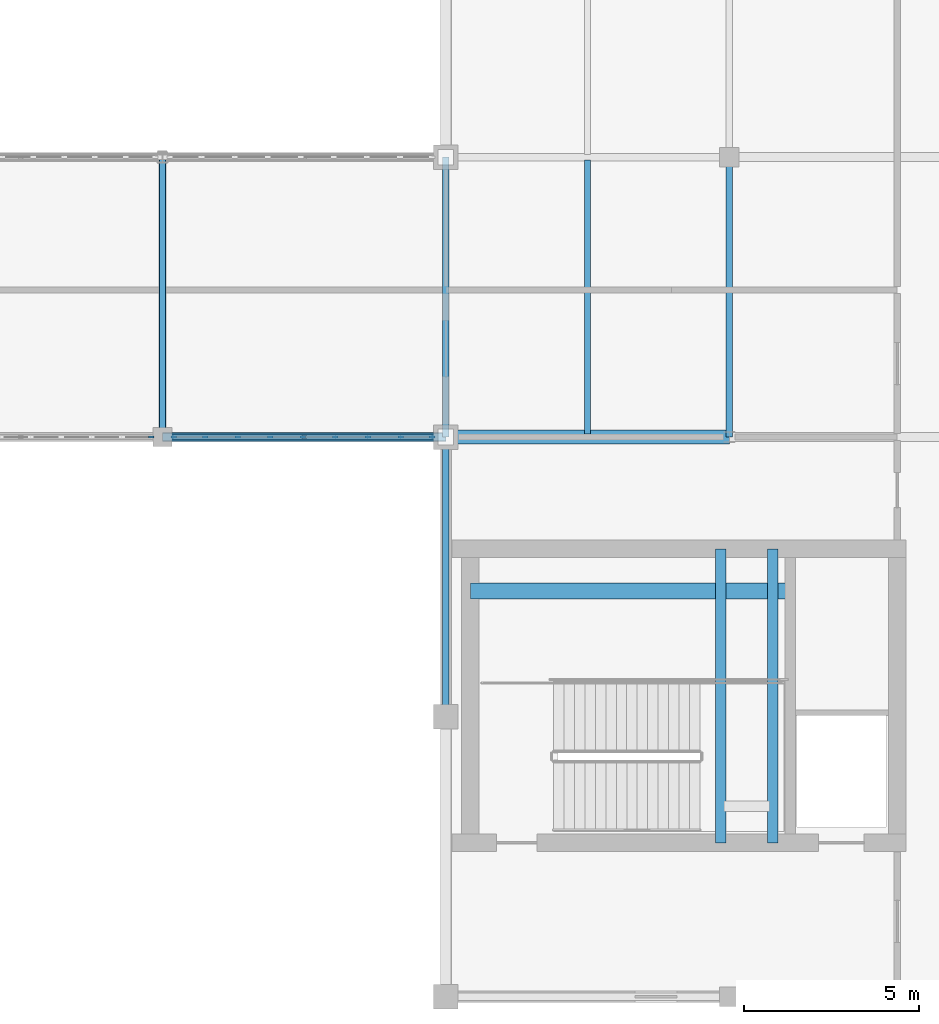
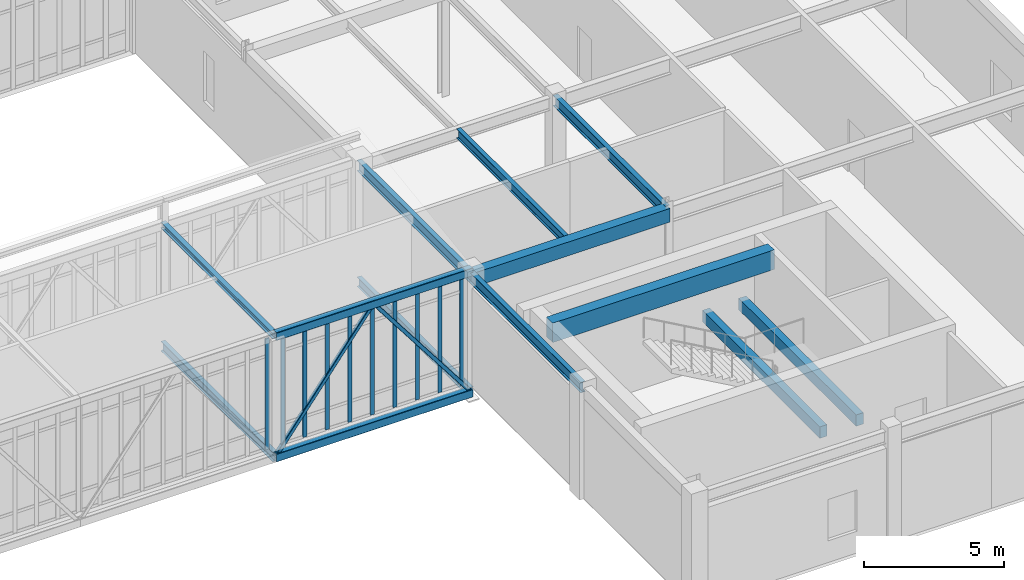
# One storey, part 33 of 107: 14 members, 11 beams, 2 elements without a shape of their own.
"""IFC4 building model written with IfcOpenShell, lengths in metres."""

from ifc_helpers import new_model, si_unit, direction, frame, origin, origin_2d, place, context, subcontext, project, spatial, rectangle, hollow_rectangle, i_section, extrude, material, material_profile, profile_set, type_object, element, aggregate, save


model = new_model("IFC4")

# Units and contexts
model_context = context("Model", 3, precision=1e-05, world=origin(), true_north=direction((0.0, 1.0)))
body_context = subcontext(model_context, "Body", "Model", "MODEL_VIEW")
ifc_project = project(units=[si_unit("LENGTHUNIT", "METRE"), si_unit("AREAUNIT", "SQUARE_METRE"), si_unit("VOLUMEUNIT", "CUBIC_METRE"), si_unit("PLANEANGLEUNIT", "RADIAN"), si_unit("MASSUNIT", "GRAM", prefix="KILO")], contexts=[model_context])

# Site, building, storey
site_placement = place(None, origin())
site = spatial("IfcSite", under=ifc_project, at=site_placement, CompositionType="ELEMENT")
building_placement = place(site_placement, origin())
building = spatial("IfcBuilding", under=site, at=building_placement, Name="Tarnveldt Square Police Headquarters", CompositionType="ELEMENT")
storey_placement = place(building_placement, frame((0.0, 0.0, 14.699951171875)))
storey = spatial("IfcBuildingStorey", under=building, at=storey_placement, Name="L03", CompositionType="ELEMENT", Elevation=14.699951171875)

# Beams
ifc_material_1 = material(Name="Concrete 50 MPa", Category="concrete")
ifc_material_profile_1 = material_profile(ifc_material_1, rectangle(XDim=0.449951171875, YDim=0.85009765625, at=origin_2d()), Name="RC-CB450x850")
ifc_profile_set_1 = profile_set([ifc_material_profile_1], Name="Concrete 50 MPa")
beam_type_1 = type_object("IfcBeamType", Name="BM-CB450x850", PredefinedType="BEAM", material=ifc_profile_set_1)
beam_1_placement = place(storey_placement, frame((106.0, 67.60009765625, 4.675048828125), z_axis=(1.0, 0.0, 0.0), x_axis=(0.0, 1.0, 0.0)))
element("IfcBeam", 1, at=beam_1_placement, inside=storey, type_object=beam_type_1, Name="Core K4 East Custody and Tactical Core L03 Ductile Coupling Beam", PredefinedType="BEAM", context=body_context, shape_type="SweptSolid", body=[
    extrude(rectangle(XDim=0.449951171875, YDim=0.85009765625, at=origin_2d()), origin(), (0.0, 0.0, 1.0), 9.14990234375),
])
ifc_material_2 = material(Name="Concrete 40 MPa", Category="concrete")
ifc_material_profile_2 = material_profile(ifc_material_2, rectangle(XDim=0.300048828125, YDim=0.5, at=origin_2d()), Name="RC-B300x500")
ifc_profile_set_2 = profile_set([ifc_material_profile_2], Name="Concrete 40 MPa")
beam_type_2 = type_object("IfcBeamType", Name="BM-RC300x500", PredefinedType="BEAM", material=ifc_profile_set_2)
for number, where, z_axis, x_axis, name in (
    (2, (113.14990234375, 60.39990234375, 2.10009765625), (0.0, 1.0, 0.0), (-1.0, 0.0, 0.0), "ST4 L03 Half-Landing Support Beam 1"),
    (3, (114.64990234375, 60.39990234375, 2.10009765625), (0.0, 1.0, 0.0), (-1.0, 0.0, 0.0), "ST4 L03 Half-Landing Transverse Support Beam"),
):
    element("IfcBeam", number, at=place(storey_placement, frame(where, z_axis=z_axis, x_axis=x_axis)), inside=storey, type_object=beam_type_2, Name=name, PredefinedType="BEAM", context=body_context, shape_type="SweptSolid", body=[
        extrude(rectangle(XDim=0.300048828125, YDim=0.5, at=origin_2d()), origin(), (0.0, 0.0, 1.0), 8.400146484375),
    ])
ifc_material_profile_3 = material_profile(ifc_material_2, rectangle(XDim=0.39990234375, YDim=0.60009765625, at=origin_2d()), Name="RC-B400x600")
ifc_profile_set_3 = profile_set([ifc_material_profile_3], Name="Concrete 40 MPa")
beam_type_3 = type_object("IfcBeamType", Name="BM-RC400x600", PredefinedType="BEAM", material=ifc_profile_set_3)
beam_2_placement = place(storey_placement, frame((105.300048828125, 72.0, 4.5400390625), z_axis=(1.0, 0.0, 0.0), x_axis=(0.0, 1.0, 0.0)))
element("IfcBeam", 4, at=beam_2_placement, inside=storey, type_object=beam_type_3, Name="L04 Grid Girder X-0820", PredefinedType="BEAM", context=body_context, shape_type="SweptSolid", body=[
    extrude(rectangle(XDim=0.39990234375, YDim=0.60009765625, at=origin_2d()), origin(), (0.0, 0.0, 1.0), 8.099853515625),
])
ifc_material_3 = material(Name="Steel 350W", Category="steel")
ifc_material_profile_4 = material_profile(ifc_material_3, i_section(OverallWidth=0.202880859375, OverallDepth=0.251953125, WebThickness=0.008056640625, FlangeThickness=0.013427734375, FilletRadius=0.012939453125, at=origin_2d()), Name="W250x58")
ifc_profile_set_4 = profile_set([ifc_material_profile_4], Name="Steel 350W")
beam_type_4 = type_object("IfcBeamType", Name="BM-W250x58", PredefinedType="BEAM", material=ifc_profile_set_4)
beam_3_placement = place(storey_placement, frame((97.199951171875, 72.0, 4.85009765625), z_axis=(0.0, 1.0, 0.0), x_axis=(-1.0, 0.0, 0.0)))
element("IfcBeam", 5, at=beam_3_placement, inside=storey, type_object=beam_type_4, Name="Skybridge SBN Roof Strut 7", PredefinedType="BEAM", context=body_context, shape_type="SweptSolid", body=[
    extrude(i_section(OverallWidth=0.202880859375, OverallDepth=0.251953125, WebThickness=0.008056640625, FlangeThickness=0.013427734375, FilletRadius=0.012939453125, at=origin_2d()), origin(), (0.0, 0.0, 1.0), 8.0),
])
ifc_material_profile_5 = material_profile(ifc_material_3, i_section(OverallWidth=0.177978515625, OverallDepth=0.406982421875, WebThickness=0.0078125, FlangeThickness=0.0126953125, FilletRadius=0.01611328125, at=origin_2d()), Name="W410x60")
ifc_profile_set_5 = profile_set([ifc_material_profile_5], Name="Steel 350W")
beam_type_5 = type_object("IfcBeamType", Name="BM-W410x60", PredefinedType="JOIST", material=ifc_profile_set_5)
beam_4_placement = place(storey_placement, frame((109.35009765625, 72.080078125, 4.636474609375), z_axis=(0.0, 1.0, 0.0), x_axis=(-1.0, 0.0, 0.0)))
element("IfcBeam", 6, at=beam_4_placement, inside=storey, type_object=beam_type_5, Name="L04 Secondary Floor Joist 0189", PredefinedType="JOIST", context=body_context, shape_type="SweptSolid", body=[
    extrude(i_section(OverallWidth=0.177978515625, OverallDepth=0.406982421875, WebThickness=0.0078125, FlangeThickness=0.0126953125, FilletRadius=0.01611328125, at=origin_2d()), origin(), (0.0, 0.0, 1.0), 7.83984375),
])
ifc_material_profile_6 = material_profile(ifc_material_3, i_section(OverallWidth=0.180908203125, OverallDepth=0.4169921875, WebThickness=0.010986328125, FlangeThickness=0.018310546875, FilletRadius=0.01611328125, at=origin_2d()), Name="W410x85")
ifc_profile_set_6 = profile_set([ifc_material_profile_6], Name="Steel 350W")
beam_type_6 = type_object("IfcBeamType", Name="BM-W410x85", PredefinedType="BEAM", material=ifc_profile_set_6)
for number, where, z_axis, x_axis, name in (
    (7, (97.199951171875, 72.0, -0.43994140625), (0.0, 1.0, 0.0), (-1.0, 0.0, 0.0), "Skybridge SBN Floor Crossbeam 7"),
    (8, (105.300048828125, 72.0, -0.468505859375), (0.0, 1.0, 0.0), (-1.0, 0.0, 0.0), "Skybridge SBN Floor Crossbeam 8"),
):
    element("IfcBeam", number, at=place(storey_placement, frame(where, z_axis=z_axis, x_axis=x_axis)), inside=storey, type_object=beam_type_6, Name=name, PredefinedType="BEAM", context=body_context, shape_type="SweptSolid", body=[
        extrude(i_section(OverallWidth=0.180908203125, OverallDepth=0.4169921875, WebThickness=0.010986328125, FlangeThickness=0.018310546875, FilletRadius=0.01611328125, at=origin_2d()), origin(), (0.0, 0.0, 1.0), 8.0),
    ])
ifc_material_profile_7 = material_profile(ifc_material_3, i_section(OverallWidth=0.19189453125, OverallDepth=0.462890625, WebThickness=0.010498046875, FlangeThickness=0.017578125, FilletRadius=0.01806640625, at=origin_2d()), Name="W460x89")
ifc_profile_set_7 = profile_set([ifc_material_profile_7], Name="Steel 350W")
beam_type_7 = type_object("IfcBeamType", Name="BM-W460x89", PredefinedType="BEAM", material=ifc_profile_set_7)
for number, where, z_axis, x_axis, name in (
    (9, (105.300048828125, 64.0, 4.608642578125), (0.0, 1.0, 0.0), (-1.0, 0.0, 0.0), "L04 Grid Girder Y-0905"),
    (10, (105.300048828125, 72.0, 4.608642578125), (0.0, 1.0, 0.0), (-1.0, 0.0, 0.0), "L04 Grid Girder Y-0906"),
    (11, (113.39990234375, 72.0, 4.608642578125), (0.0, 1.0, 0.0), (-1.0, 0.0, 0.0), "L04 Grid Girder Y-0911"),
):
    element("IfcBeam", number, at=place(storey_placement, frame(where, z_axis=z_axis, x_axis=x_axis)), inside=storey, type_object=beam_type_7, Name=name, PredefinedType="BEAM", context=body_context, shape_type="SweptSolid", body=[
        extrude(i_section(OverallWidth=0.19189453125, OverallDepth=0.462890625, WebThickness=0.010498046875, FlangeThickness=0.017578125, FilletRadius=0.01806640625, at=origin_2d()), origin(), (0.0, 0.0, 1.0), 8.0),
    ])

# Curtain wall, member
ifc_material_4 = material(Name="Triple-glazed low-e laminated vision glass", Category="glass")
curtain_wall_type_1 = type_object("IfcCurtainWallType", Name="CW-SB-781x484", PredefinedType="USERDEFINED", material=ifc_material_4)
curtain_wall_1_placement = place(storey_placement, origin())
curtain_wall_1 = element("IfcCurtainWall", 12, at=curtain_wall_1_placement, inside=storey, type_object=curtain_wall_type_1, Name="L03 Curtain Wall CW-L03-157", ObjectType="GLAZED CURTAIN WALL", PredefinedType="USERDEFINED")
ifc_material_5 = material(Name="Thermally broken anodised aluminium 6063-T6", Category="aluminium")
ifc_material_profile_8 = material_profile(ifc_material_5, rectangle(XDim=0.06494140625, YDim=0.159912109375, at=origin_2d()), Name="CW-M65x160")
ifc_profile_set_8 = profile_set([ifc_material_profile_8], Name="Thermally broken anodised aluminium 6063-T6")
member_type_1 = type_object("IfcMemberType", Name="CWM-65x160", PredefinedType="MULLION", material=ifc_profile_set_8)
member_1_placement = place(storey_placement, frame((96.87744140625, 72.0, 0.0), z_axis=(0.0, 0.0, 1.0), x_axis=(0.0, 1.0, 0.0)))
member_1 = element("IfcMember", 13, at=member_1_placement, type_object=member_type_1, Name="CW-SB92 mullion 10", PredefinedType="MULLION", context=body_context, shape_type="SweptSolid", body=[
    extrude(rectangle(XDim=0.06494140625, YDim=0.159912109375, at=origin_2d()), origin(), (0.0, 0.0, 1.0), 4.840087890625),
])
aggregate(curtain_wall_1, [member_1])

# Curtain wall, members
curtain_wall_type_2 = type_object("IfcCurtainWallType", Name="CW-SB-745x484", PredefinedType="USERDEFINED", material=ifc_material_4)
curtain_wall_2_placement = place(storey_placement, origin())
curtain_wall_2 = element("IfcCurtainWall", 14, at=curtain_wall_2_placement, inside=storey, type_object=curtain_wall_type_2, Name="L03 Curtain Wall CW-L03-158", ObjectType="GLAZED CURTAIN WALL", PredefinedType="USERDEFINED")
member_2_placement = place(storey_placement, frame((97.5224609375, 72.0, 0.0), z_axis=(0.0, 0.0, 1.0), x_axis=(0.0, 1.0, 0.0)))
member_2 = element("IfcMember", 15, at=member_2_placement, type_object=member_type_1, Name="CW-SB93 mullion 1", PredefinedType="MULLION", context=body_context, shape_type="SweptSolid", body=[
    extrude(rectangle(XDim=0.06494140625, YDim=0.159912109375, at=origin_2d()), origin(), (0.0, 0.0, 1.0), 4.840087890625),
])
member_3_placement = place(storey_placement, frame((98.420654296875, 72.0, 0.0), z_axis=(0.0, 0.0, 1.0), x_axis=(0.0, 1.0, 0.0)))
member_3 = element("IfcMember", 16, at=member_3_placement, type_object=member_type_1, Name="CW-SB93 mullion 2", PredefinedType="MULLION", context=body_context, shape_type="SweptSolid", body=[
    extrude(rectangle(XDim=0.06494140625, YDim=0.159912109375, at=origin_2d()), origin(), (0.0, 0.0, 1.0), 4.840087890625),
])
member_4_placement = place(storey_placement, frame((99.351318359375, 72.0, 0.0), z_axis=(0.0, 0.0, 1.0), x_axis=(0.0, 1.0, 0.0)))
member_4 = element("IfcMember", 17, at=member_4_placement, type_object=member_type_1, Name="CW-SB93 mullion 3", PredefinedType="MULLION", context=body_context, shape_type="SweptSolid", body=[
    extrude(rectangle(XDim=0.06494140625, YDim=0.159912109375, at=origin_2d()), origin(), (0.0, 0.0, 1.0), 4.840087890625),
])
member_5_placement = place(storey_placement, frame((100.281982421875, 72.0, 0.0), z_axis=(0.0, 0.0, 1.0), x_axis=(0.0, 1.0, 0.0)))
member_5 = element("IfcMember", 18, at=member_5_placement, type_object=member_type_1, Name="CW-SB93 mullion 4", PredefinedType="MULLION", context=body_context, shape_type="SweptSolid", body=[
    extrude(rectangle(XDim=0.06494140625, YDim=0.159912109375, at=origin_2d()), origin(), (0.0, 0.0, 1.0), 4.840087890625),
])
member_6_placement = place(storey_placement, frame((101.21240234375, 72.0, 0.0), z_axis=(0.0, 0.0, 1.0), x_axis=(0.0, 1.0, 0.0)))
member_6 = element("IfcMember", 19, at=member_6_placement, type_object=member_type_1, Name="CW-SB93 mullion 5", PredefinedType="MULLION", context=body_context, shape_type="SweptSolid", body=[
    extrude(rectangle(XDim=0.06494140625, YDim=0.159912109375, at=origin_2d()), origin(), (0.0, 0.0, 1.0), 4.840087890625),
])
member_7_placement = place(storey_placement, frame((102.14306640625, 72.0, 0.0), z_axis=(0.0, 0.0, 1.0), x_axis=(0.0, 1.0, 0.0)))
member_7 = element("IfcMember", 20, at=member_7_placement, type_object=member_type_1, Name="CW-SB93 mullion 6", PredefinedType="MULLION", context=body_context, shape_type="SweptSolid", body=[
    extrude(rectangle(XDim=0.06494140625, YDim=0.159912109375, at=origin_2d()), origin(), (0.0, 0.0, 1.0), 4.840087890625),
])
member_8_placement = place(storey_placement, frame((103.07373046875, 72.0, 0.0), z_axis=(0.0, 0.0, 1.0), x_axis=(0.0, 1.0, 0.0)))
member_8 = element("IfcMember", 21, at=member_8_placement, type_object=member_type_1, Name="CW-SB93 mullion 7", PredefinedType="MULLION", context=body_context, shape_type="SweptSolid", body=[
    extrude(rectangle(XDim=0.06494140625, YDim=0.159912109375, at=origin_2d()), origin(), (0.0, 0.0, 1.0), 4.840087890625),
])
member_9_placement = place(storey_placement, frame((104.00439453125, 72.0, 0.0), z_axis=(0.0, 0.0, 1.0), x_axis=(0.0, 1.0, 0.0)))
member_9 = element("IfcMember", 22, at=member_9_placement, type_object=member_type_1, Name="CW-SB93 mullion 8", PredefinedType="MULLION", context=body_context, shape_type="SweptSolid", body=[
    extrude(rectangle(XDim=0.06494140625, YDim=0.159912109375, at=origin_2d()), origin(), (0.0, 0.0, 1.0), 4.840087890625),
])
member_10_placement = place(storey_placement, frame((104.902587890625, 72.0, 0.0), z_axis=(0.0, 0.0, 1.0), x_axis=(0.0, 1.0, 0.0)))
member_10 = element("IfcMember", 23, at=member_10_placement, type_object=member_type_1, Name="CW-SB93 mullion 9", PredefinedType="MULLION", context=body_context, shape_type="SweptSolid", body=[
    extrude(rectangle(XDim=0.06494140625, YDim=0.159912109375, at=origin_2d()), origin(), (0.0, 0.0, 1.0), 4.840087890625),
])
aggregate(curtain_wall_2, [member_2, member_3, member_4, member_5, member_6, member_7, member_8, member_9, member_10])

# Members
ifc_material_profile_9 = material_profile(ifc_material_3, hollow_rectangle(XDim=0.25390625, YDim=0.355712890625, WallThickness=0.015869140625, InnerFilletRadius=0.015869140625, OuterFilletRadius=0.03173828125, at=origin_2d()), Name="HSS356x254x16")
ifc_profile_set_9 = profile_set([ifc_material_profile_9], Name="Steel 350W")
member_type_2 = type_object("IfcMemberType", Name="MEM-SB-CHORD", PredefinedType="CHORD", material=ifc_profile_set_9)
for number, where, z_axis, x_axis, name in (
    (24, (97.199951171875, 72.0, -0.43994140625), (1.0, 0.0, 0.0), (0.0, 1.0, 0.0), "Skybridge SBN Bottom Chord S7"),
    (25, (97.199951171875, 72.0, 4.85009765625), (1.0, 0.0, 0.0), (0.0, 1.0, 0.0), "Skybridge SBN Top Chord S7"),
):
    element("IfcMember", number, at=place(storey_placement, frame(where, z_axis=z_axis, x_axis=x_axis)), inside=storey, type_object=member_type_2, Name=name, PredefinedType="CHORD", context=body_context, shape_type="SweptSolid", body=[
        extrude(hollow_rectangle(XDim=0.25390625, YDim=0.355712890625, WallThickness=0.015869140625, InnerFilletRadius=0.015869140625, OuterFilletRadius=0.03173828125, at=origin_2d()), origin(), (0.0, 0.0, 1.0), 8.10009765625),
    ])
ifc_material_profile_10 = material_profile(ifc_material_3, hollow_rectangle(XDim=0.15234375, YDim=0.15234375, WallThickness=0.009521484375, InnerFilletRadius=0.009521484375, OuterFilletRadius=0.01904296875, at=origin_2d()), Name="HSS152x152x9.5")
ifc_profile_set_10 = profile_set([ifc_material_profile_10], Name="Steel 350W")
member_type_3 = type_object("IfcMemberType", Name="MEM-SB-WEB", PredefinedType="BRACE", material=ifc_profile_set_10)
for number, where, z_axis, x_axis, name in (
    (26, (97.199951171875, 72.0, -0.43994140625), (0.607897507531, 0.0, 0.794015503839), (0.0, 1.0, 0.0), "Skybridge SBN Web A7"),
    (27, (105.300048828125, 72.0, -0.43994140625), (-0.607897507531, 0.0, 0.794015503839), (0.0, -1.0, 0.0), "Skybridge SBN Web B7"),
):
    element("IfcMember", number, at=place(storey_placement, frame(where, z_axis=z_axis, x_axis=x_axis)), inside=storey, type_object=member_type_3, Name=name, PredefinedType="BRACE", context=body_context, shape_type="SweptSolid", body=[
        extrude(hollow_rectangle(XDim=0.15234375, YDim=0.15234375, WallThickness=0.009521484375, InnerFilletRadius=0.009521484375, OuterFilletRadius=0.01904296875, at=origin_2d()), origin(), (0.0, 0.0, 1.0), 6.662353515625),
    ])

save(model, "model.ifc")
